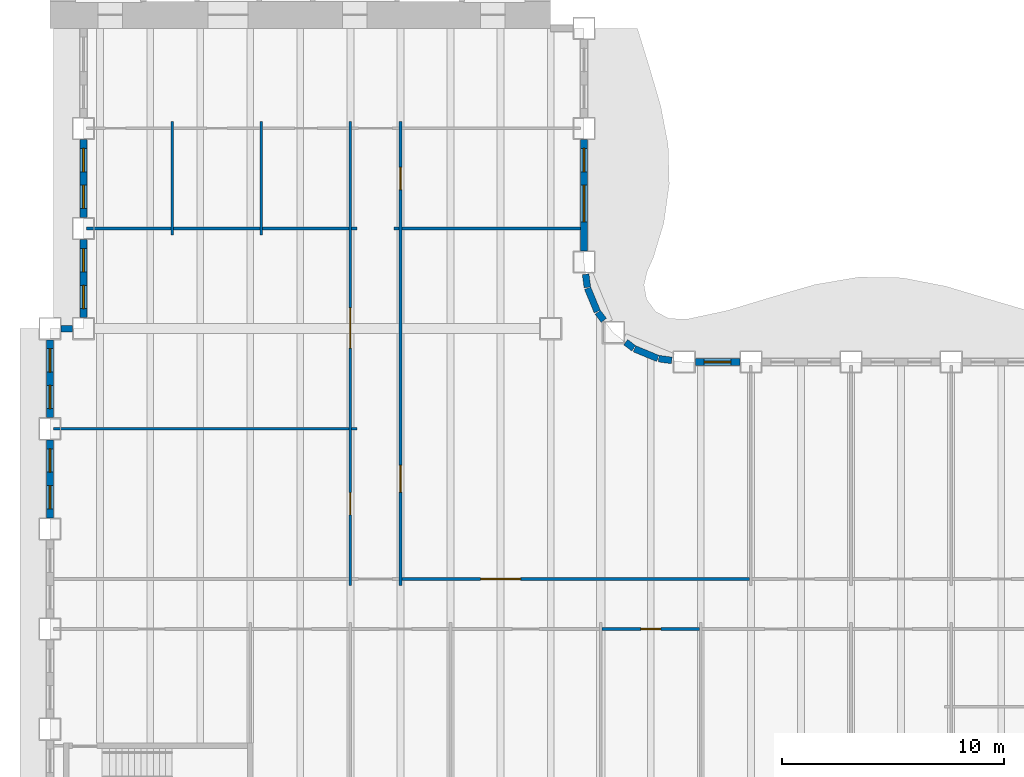
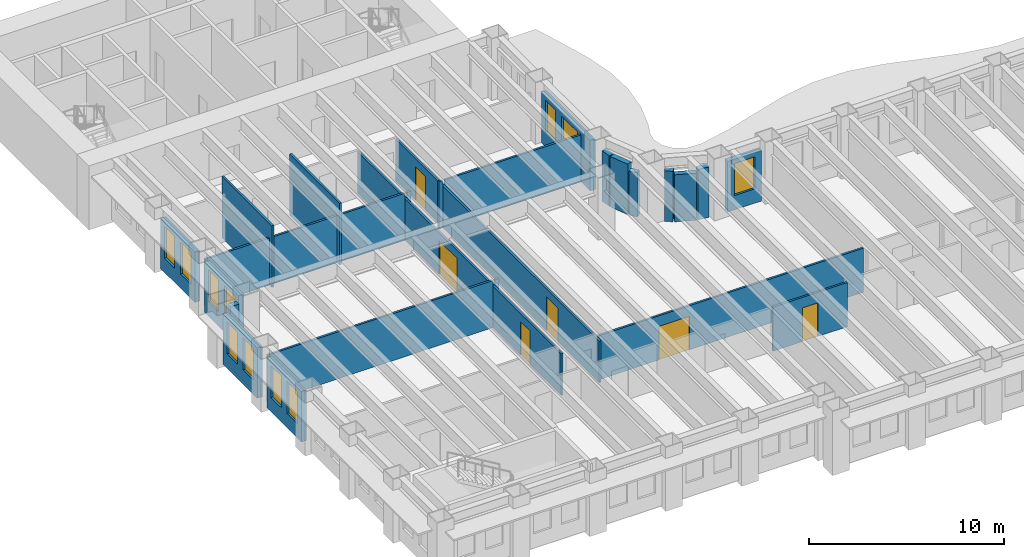
# One storey, part 4 of 16: 27 walls, 11 windows, 6 doors, 17 openings.
"""IFC4 building model written with IfcOpenShell, lengths in metres."""

from ifc_helpers import new_model, si_unit, direction, frame, frame_2d, origin, place, context, subcontext, project, spatial, rectangle, extrude, material, layer, layer_set, type_object, element, fill, save


model = new_model("IFC4")

# Units and contexts
model_context = context("Model", 3, precision=1e-05, world=origin(), true_north=direction((0.0, 1.0)))
body_context = subcontext(model_context, "Body", "Model", "MODEL_VIEW")
ifc_project = project(units=[si_unit("LENGTHUNIT", "METRE"), si_unit("AREAUNIT", "SQUARE_METRE"), si_unit("VOLUMEUNIT", "CUBIC_METRE"), si_unit("PLANEANGLEUNIT", "RADIAN"), si_unit("MASSUNIT", "GRAM", prefix="KILO")], contexts=[model_context])

# Site, building, storey
site_placement = place(None, origin())
site = spatial("IfcSite", under=ifc_project, at=site_placement, CompositionType="ELEMENT")
building_placement = place(site_placement, origin())
building = spatial("IfcBuilding", under=site, at=building_placement, Name="Sennacour Bend Tower", CompositionType="ELEMENT")
storey_placement = place(building_placement, frame((0.0, 0.0, 119.0)))
storey = spatial("IfcBuildingStorey", under=building, at=storey_placement, Name="L27", CompositionType="ELEMENT", Elevation=119.0)

# Walls
ifc_material_1 = material(Name="Plasterboard partition on steel studs", Category="steel")
ifc_layer_1 = layer(ifc_material_1, 0.1201171875, Name="Plasterboard partition on steel studs", Category="steel")
ifc_layer_set_1 = layer_set([ifc_layer_1], Name="Plasterboard partition on steel studs")
wall_type_1 = type_object("IfcWallType", Name="Partition 120", PredefinedType="PARTITIONING", material=ifc_layer_set_1)
for number, where, z_axis, x_axis, name in (
    (1, (5.5, 26.699951171875, 0.0), (0.0, 0.0, 1.0), (0.0, 1.0, 0.0), "P-L27-W007a"),
    (2, (9.5, 26.699951171875, 0.0), (0.0, 0.0, 1.0), (0.0, 1.0, 0.0), "P-L27-W013a"),
):
    element("IfcWall", number, at=place(storey_placement, frame(where, z_axis=z_axis, x_axis=x_axis)), inside=storey, type_object=wall_type_1, Name=name, PredefinedType="PARTITIONING", context=body_context, shape_type="SweptSolid", body=[
        extrude(rectangle(XDim=5.10009765625, YDim=0.1201171875, at=frame_2d((2.550048828125, 0.0))), origin(), (0.0, 0.0, 1.0), 3.85009765625),
    ])

# Wall, openings, doors
wall_1_placement = place(storey_placement, frame((13.5, 10.949951171875, 0.0), z_axis=(0.0, 0.0, 1.0), x_axis=(0.0, 1.0, 0.0)))
wall_1 = element("IfcWall", 3, at=wall_1_placement, inside=storey, type_object=wall_type_1, Name="P-L27-W016a", PredefinedType="PARTITIONING", context=body_context, shape_type="SweptSolid", body=[
    extrude(rectangle(XDim=20.85009765625, YDim=0.1201171875, at=frame_2d((10.425048828125, 0.0))), origin(), (0.0, 0.0, 1.0), 2.60009765625),
])
opening_1_placement = place(wall_1_placement, frame((3.175048828125, 0.0, 0.0)))
opening_1 = element("IfcOpeningElement", 4, at=opening_1_placement, cuts=wall_1, Name="Opening OD2", PredefinedType="OPENING", context=body_context, shape_type="SweptSolid", body=[
    extrude(rectangle(XDim=1.0, YDim=2.10009765625, at=frame_2d((0.5, 1.050048828125))), frame((0.0, 0.070068359375, 0.0), z_axis=(0.0, -1.0, 0.0), x_axis=(1.0, 0.0, 0.0)), (0.0, 0.0, 1.0), 0.14013671875),
])
opening_2_placement = place(wall_1_placement, frame((10.679931640625, 0.0, 0.0)))
opening_2 = element("IfcOpeningElement", 5, at=opening_2_placement, cuts=wall_1, Name="Opening OD3", PredefinedType="OPENING", context=body_context, shape_type="SweptSolid", body=[
    extrude(rectangle(XDim=1.800048828125, YDim=2.10009765625, at=frame_2d((0.89990234375, 1.050048828125))), frame((0.0, 0.070068359375, 0.0), z_axis=(0.0, -1.0, 0.0), x_axis=(1.0, 0.0, 0.0)), (0.0, 0.0, 1.0), 0.14013671875),
])
ifc_material_2 = material(Name="Timber", Category="wood")
door_type_1 = type_object("IfcDoorType", Name="DR-OFFICE-1000", OperationType="NOTDEFINED", PredefinedType="DOOR", material=ifc_material_2)
door_1_placement = place(opening_1_placement, origin())
door_1 = element("IfcDoor", 6, at=door_1_placement, inside=storey, type_object=door_type_1, Name="Door", OperationType="SINGLE_SWING_LEFT", OverallHeight=2.10009765625, OverallWidth=1.0, PredefinedType="DOOR", context=body_context, shape_type="SweptSolid", body=[
    extrude(rectangle(XDim=1.0, YDim=2.10009765625, at=frame_2d((0.5, 1.050048828125))), frame((0.0, 0.02490234375, 0.0), z_axis=(0.0, -1.0, 0.0), x_axis=(1.0, 0.0, 0.0)), (0.0, 0.0, 1.0), 0.050048828125),
])
fill(opening_1, door_1)
door_type_2 = type_object("IfcDoorType", Name="DR-OFFICE-1800", OperationType="NOTDEFINED", PredefinedType="DOOR", material=ifc_material_2)
door_2_placement = place(opening_2_placement, origin())
door_2 = element("IfcDoor", 7, at=door_2_placement, inside=storey, type_object=door_type_2, Name="Door", OperationType="DOUBLE_DOOR_SINGLE_SWING", OverallHeight=2.10009765625, OverallWidth=1.800048828125, PredefinedType="DOOR", context=body_context, shape_type="SweptSolid", body=[
    extrude(rectangle(XDim=1.800048828125, YDim=2.10009765625, at=frame_2d((0.89990234375, 1.050048828125))), frame((0.0, 0.02490234375, 0.0), z_axis=(0.0, -1.0, 0.0), x_axis=(1.0, 0.0, 0.0)), (0.0, 0.0, 1.0), 0.050048828125),
])
fill(opening_2, door_2)

wall_2_placement = place(storey_placement, frame((15.75, 10.949951171875, 0.0), z_axis=(0.0, 0.0, 1.0), x_axis=(0.0, 1.0, 0.0)))
wall_2 = element("IfcWall", 8, at=wall_2_placement, inside=storey, type_object=wall_type_1, Name="P-L27-W020a", PredefinedType="PARTITIONING", context=body_context, shape_type="SweptSolid", body=[
    extrude(rectangle(XDim=20.85009765625, YDim=0.1201171875, at=frame_2d((10.425048828125, 0.0))), origin(), (0.0, 0.0, 1.0), 2.60009765625),
])
opening_3_placement = place(wall_2_placement, frame((17.800048828125, 0.0, 0.0)))
opening_3 = element("IfcOpeningElement", 9, at=opening_3_placement, cuts=wall_2, Name="Opening MD2", PredefinedType="OPENING", context=body_context, shape_type="SweptSolid", body=[
    extrude(rectangle(XDim=1.0, YDim=2.10009765625, at=frame_2d((0.5, 1.050048828125))), frame((0.0, 0.070068359375, 0.0), z_axis=(0.0, -1.0, 0.0), x_axis=(1.0, 0.0, 0.0)), (0.0, 0.0, 1.0), 0.14013671875),
])
opening_4_placement = place(wall_2_placement, frame((4.199951171875, 0.0, 0.0)))
opening_4 = element("IfcOpeningElement", 10, at=opening_4_placement, cuts=wall_2, Name="Opening OD", PredefinedType="OPENING", context=body_context, shape_type="SweptSolid", body=[
    extrude(rectangle(XDim=1.199951171875, YDim=2.10009765625, at=frame_2d((0.60009765625, 1.050048828125))), frame((0.0, 0.070068359375, 0.0), z_axis=(0.0, -1.0, 0.0), x_axis=(1.0, 0.0, 0.0)), (0.0, 0.0, 1.0), 0.14013671875),
])
door_type_3 = type_object("IfcDoorType", Name="DR-MEETING-1000", OperationType="NOTDEFINED", PredefinedType="DOOR", material=ifc_material_2)
door_3_placement = place(opening_3_placement, origin())
door_3 = element("IfcDoor", 11, at=door_3_placement, inside=storey, type_object=door_type_3, Name="Door", OperationType="SINGLE_SWING_RIGHT", OverallHeight=2.10009765625, OverallWidth=1.0, PredefinedType="DOOR", context=body_context, shape_type="SweptSolid", body=[
    extrude(rectangle(XDim=1.0, YDim=2.10009765625, at=frame_2d((0.5, 1.050048828125))), frame((0.0, 0.02490234375, 0.0), z_axis=(0.0, -1.0, 0.0), x_axis=(1.0, 0.0, 0.0)), (0.0, 0.0, 1.0), 0.050048828125),
])
fill(opening_3, door_3)
door_type_4 = type_object("IfcDoorType", Name="DR-OFFICE-1200", OperationType="NOTDEFINED", PredefinedType="DOOR", material=ifc_material_2)
door_4_placement = place(opening_4_placement, origin())
door_4 = element("IfcDoor", 12, at=door_4_placement, inside=storey, type_object=door_type_4, Name="Door", OperationType="SINGLE_SWING_LEFT", OverallHeight=2.10009765625, OverallWidth=1.199951171875, PredefinedType="DOOR", context=body_context, shape_type="SweptSolid", body=[
    extrude(rectangle(XDim=1.199951171875, YDim=2.10009765625, at=frame_2d((0.60009765625, 1.050048828125))), frame((0.0, 0.02490234375, 0.0), z_axis=(0.0, -1.0, 0.0), x_axis=(1.0, 0.0, 0.0)), (0.0, 0.0, 1.0), 0.050048828125),
])
fill(opening_4, door_4)

# Wall, opening, door
wall_3_placement = place(storey_placement, frame((15.81005859375, 11.25, 0.0), z_axis=(0.0, 0.0, 1.0), x_axis=(1.0, 0.0, 0.0)))
wall_3 = element("IfcWall", 13, at=wall_3_placement, inside=storey, type_object=wall_type_1, Name="P-L27-W061ac", PredefinedType="PARTITIONING", context=body_context, shape_type="SweptSolid", body=[
    extrude(rectangle(XDim=15.6298828125, YDim=0.1201171875, at=frame_2d((7.81494140625, 0.0))), origin(), (0.0, 0.0, 1.0), 2.760009765625),
])
opening_5_placement = place(wall_3_placement, frame((3.539794921875, 0.0, 0.0)))
opening_5 = element("IfcOpeningElement", 14, at=opening_5_placement, cuts=wall_3, Name="Opening OD3", PredefinedType="OPENING", context=body_context, shape_type="SweptSolid", body=[
    extrude(rectangle(XDim=1.800048828125, YDim=2.10009765625, at=frame_2d((0.89990234375, 1.050048828125))), frame((0.0, 0.070068359375, 0.0), z_axis=(0.0, -1.0, 0.0), x_axis=(1.0, 0.0, 0.0)), (0.0, 0.0, 1.0), 0.14013671875),
])
door_5_placement = place(opening_5_placement, origin())
door_5 = element("IfcDoor", 15, at=door_5_placement, inside=storey, type_object=door_type_2, Name="Door", OperationType="DOUBLE_DOOR_SINGLE_SWING", OverallHeight=2.10009765625, OverallWidth=1.800048828125, PredefinedType="DOOR", context=body_context, shape_type="SweptSolid", body=[
    extrude(rectangle(XDim=1.800048828125, YDim=2.10009765625, at=frame_2d((0.89990234375, 1.050048828125))), frame((0.0, 0.02490234375, 0.0), z_axis=(0.0, -1.0, 0.0), x_axis=(1.0, 0.0, 0.0)), (0.0, 0.0, 1.0), 0.050048828125),
])
fill(opening_5, door_5)

# Walls
wall_4_placement = place(storey_placement, frame((0.14990234375, 18.0, 0.0), z_axis=(0.0, 0.0, 1.0), x_axis=(1.0, 0.0, 0.0)))
element("IfcWall", 16, at=wall_4_placement, inside=storey, type_object=wall_type_1, Name="P-L27-W066aa", PredefinedType="PARTITIONING", context=body_context, shape_type="SweptSolid", body=[
    extrude(rectangle(XDim=13.2900390625, YDim=0.1201171875, at=frame_2d((6.64501953125, 0.0))), origin(), (0.0, 0.0, 1.0), 2.93798828125),
])
wall_5_placement = place(storey_placement, frame((13.56005859375, 18.0, 0.0), z_axis=(0.0, 0.0, 1.0), x_axis=(1.0, 0.0, 0.0)))
element("IfcWall", 17, at=wall_5_placement, inside=storey, type_object=wall_type_1, Name="P-L27-W066ab", PredefinedType="PARTITIONING", context=body_context, shape_type="SweptSolid", body=[
    extrude(rectangle(XDim=0.239990234375, YDim=0.1201171875, at=frame_2d((0.1201171875, 0.0))), origin(), (0.0, 0.0, 1.0), 2.93798828125),
])
wall_6_placement = place(storey_placement, frame((1.64990234375, 27.0, 0.0), z_axis=(0.0, 0.0, 1.0), x_axis=(1.0, 0.0, 0.0)))
element("IfcWall", 18, at=wall_6_placement, inside=storey, type_object=wall_type_1, Name="P-L27-W073aa", PredefinedType="PARTITIONING", context=body_context, shape_type="SweptSolid", body=[
    extrude(rectangle(XDim=3.7900390625, YDim=0.1201171875, at=frame_2d((1.89501953125, 0.0))), origin(), (0.0, 0.0, 1.0), 2.93798828125),
])
for number, where, z_axis, x_axis, name in (
    (19, (5.56005859375, 27.0, 0.0), (0.0, 0.0, 1.0), (1.0, 0.0, 0.0), "P-L27-W073ab"),
    (20, (9.56005859375, 27.0, 0.0), (0.0, 0.0, 1.0), (1.0, 0.0, 0.0), "P-L27-W073ac"),
):
    element("IfcWall", number, at=place(storey_placement, frame(where, z_axis=z_axis, x_axis=x_axis)), inside=storey, type_object=wall_type_1, Name=name, PredefinedType="PARTITIONING", context=body_context, shape_type="SweptSolid", body=[
        extrude(rectangle(XDim=3.8798828125, YDim=0.1201171875, at=frame_2d((1.93994140625, 0.0))), origin(), (0.0, 0.0, 1.0), 2.93798828125),
    ])
for number, where, z_axis, x_axis, name in (
    (21, (13.56005859375, 27.0, 0.0), (0.0, 0.0, 1.0), (1.0, 0.0, 0.0), "P-L27-W073ad"),
    (22, (15.449951171875, 27.0, 0.0), (0.0, 0.0, 1.0), (1.0, 0.0, 0.0), "P-L27-W074aa"),
):
    element("IfcWall", number, at=place(storey_placement, frame(where, z_axis=z_axis, x_axis=x_axis)), inside=storey, type_object=wall_type_1, Name=name, PredefinedType="PARTITIONING", context=body_context, shape_type="SweptSolid", body=[
        extrude(rectangle(XDim=0.239990234375, YDim=0.1201171875, at=frame_2d((0.1201171875, 0.0))), origin(), (0.0, 0.0, 1.0), 2.93798828125),
    ])
wall_7_placement = place(storey_placement, frame((15.81005859375, 27.0, 0.0), z_axis=(0.0, 0.0, 1.0), x_axis=(1.0, 0.0, 0.0)))
element("IfcWall", 23, at=wall_7_placement, inside=storey, type_object=wall_type_1, Name="P-L27-W074ab", PredefinedType="PARTITIONING", context=body_context, shape_type="SweptSolid", body=[
    extrude(rectangle(XDim=8.0400390625, YDim=0.1201171875, at=frame_2d((4.02001953125, 0.0))), origin(), (0.0, 0.0, 1.0), 2.93798828125),
])

# Wall, opening, door
ifc_layer_2 = layer(ifc_material_1, 0.1201171875, Name="Plasterboard partition on steel studs", Category="steel")
ifc_layer_set_2 = layer_set([ifc_layer_2], Name="Plasterboard partition on steel studs")
wall_type_2 = type_object("IfcWallType", Name="Partition 120 EI 60", PredefinedType="PARTITIONING", material=ifc_layer_set_2)
wall_8_placement = place(storey_placement, frame((24.81005859375, 9.0, 0.0), z_axis=(0.0, 0.0, 1.0), x_axis=(1.0, 0.0, 0.0)))
wall_8 = element("IfcWall", 24, at=wall_8_placement, inside=storey, type_object=wall_type_2, Name="P-L27-W059ae", PredefinedType="PARTITIONING", context=body_context, shape_type="SweptSolid", body=[
    extrude(rectangle(XDim=4.3798828125, YDim=0.1201171875, at=frame_2d((2.18994140625, 0.0))), origin(), (0.0, 0.0, 1.0), 2.760009765625),
])
opening_6_placement = place(wall_8_placement, frame((1.739990234375, 0.0, 0.0)))
opening_6 = element("IfcOpeningElement", 25, at=opening_6_placement, cuts=wall_8, Name="Opening SV", PredefinedType="OPENING", context=body_context, shape_type="SweptSolid", body=[
    extrude(rectangle(XDim=0.89990234375, YDim=2.10009765625, at=frame_2d((0.449951171875, 1.050048828125))), frame((0.0, 0.070068359375, 0.0), z_axis=(0.0, -1.0, 0.0), x_axis=(1.0, 0.0, 0.0)), (0.0, 0.0, 1.0), 0.14013671875),
])
ifc_material_3 = material(Name="Painted steel", Category="steel")
door_type_5 = type_object("IfcDoorType", Name="DR-SERVICE-900", OperationType="NOTDEFINED", PredefinedType="DOOR", material=ifc_material_3)
door_6_placement = place(opening_6_placement, origin())
door_6 = element("IfcDoor", 26, at=door_6_placement, inside=storey, type_object=door_type_5, Name="Door", OperationType="SINGLE_SWING_LEFT", OverallHeight=2.10009765625, OverallWidth=0.89990234375, PredefinedType="DOOR", context=body_context, shape_type="SweptSolid", body=[
    extrude(rectangle(XDim=0.89990234375, YDim=2.10009765625, at=frame_2d((0.449951171875, 1.050048828125))), frame((0.0, 0.02490234375, 0.0), z_axis=(0.0, -1.0, 0.0), x_axis=(1.0, 0.0, 0.0)), (0.0, 0.0, 1.0), 0.050048828125),
])
fill(opening_6, door_6)

# Wall, opening, window
ifc_material_4 = material(Name="Warm limestone cladding", Category="masonry")
ifc_layer_3 = layer(ifc_material_4, 0.050048828125, Name="Warm limestone cladding", Category="masonry")
ifc_material_5 = material(Name="Precast concrete C40/50", Category="concrete")
ifc_layer_4 = layer(ifc_material_5, 0.25, Name="Precast concrete C40/50", Category="concrete")
ifc_layer_set_3 = layer_set([ifc_layer_3, ifc_layer_4], Name="Precast concrete C40/50 with limestone cladding")
wall_type_3 = type_object("IfcWallType", Name="STONE-CLAD PRECAST SPANDREL 300", PredefinedType="STANDARD", material=ifc_layer_set_3)
wall_9_placement = place(storey_placement, frame((31.0, 21.0, 0.0), z_axis=(0.0, 0.0, 1.0), x_axis=(-1.0, 0.0, 0.0)))
wall_9 = element("IfcWall", 27, at=wall_9_placement, inside=storey, type_object=wall_type_3, Name="Stone spandrel and pier wall L27 06.05", PredefinedType="STANDARD", context=body_context, shape_type="SweptSolid", body=[
    extrude(rectangle(XDim=2.0, YDim=0.300048828125, at=frame_2d((1.0, 0.0))), origin(), (0.0, 0.0, 1.0), 3.154052734375),
])
opening_7_placement = place(wall_9_placement, frame((0.39990234375, 0.0, 0.89990234375)))
opening_7 = element("IfcOpeningElement", 28, at=opening_7_placement, cuts=wall_9, Name="Opening W14", PredefinedType="OPENING", context=body_context, shape_type="SweptSolid", body=[
    extrude(rectangle(XDim=1.199951171875, YDim=2.0, at=frame_2d((0.60009765625, 1.0))), frame((0.0, 0.16015625, 0.0), z_axis=(0.0, -1.0, 0.0), x_axis=(1.0, 0.0, 0.0)), (0.0, 0.0, 1.0), 0.320068359375),
])
ifc_material_6 = material(Name="Clear low-emissivity glass", Category="glass")
window_type_1 = type_object("IfcWindowType", Name="WIN-RIBBON-1200x2000", PartitioningType="SINGLE_PANEL", PredefinedType="WINDOW", material=ifc_material_6)
window_1_placement = place(opening_7_placement, origin())
window_1 = element("IfcWindow", 29, at=window_1_placement, inside=storey, type_object=window_type_1, Name="Ribbon window L27 06.05", OverallHeight=2.0, OverallWidth=1.199951171875, PartitioningType="SINGLE_PANEL", PredefinedType="WINDOW", context=body_context, shape_type="SweptSolid", body=[
    extrude(rectangle(XDim=1.199951171875, YDim=2.0, at=frame_2d((0.60009765625, 1.0))), frame((0.0, 0.030029296875, 0.0), z_axis=(0.0, -1.0, 0.0), x_axis=(1.0, 0.0, 0.0)), (0.0, 0.0, 1.0), 0.06005859375),
])
fill(opening_7, window_1)

# Walls
wall_10_placement = place(storey_placement, frame((27.94384765625, 21.0732421875, 0.0), z_axis=(0.0, 0.0, 1.0), x_axis=(-0.991420685839, 0.130709692412, 0.0)))
element("IfcWall", 30, at=wall_10_placement, inside=storey, type_object=wall_type_3, Name="Stone spandrel and pier wall L27 07.00", PredefinedType="STANDARD", context=body_context, shape_type="SweptSolid", body=[
    extrude(rectangle(XDim=0.593994140625, YDim=0.300048828125, at=frame_2d((0.296875, 0.0))), origin(), (0.0, 0.0, 1.0), 3.154052734375),
])
wall_11_placement = place(storey_placement, frame((27.317138671875, 21.160888671875, 0.0), z_axis=(0.0, 0.0, 1.0), x_axis=(-0.923914616768, 0.382598720491, 0.0)))
element("IfcWall", 31, at=wall_11_placement, inside=storey, type_object=wall_type_3, Name="Stone spandrel and pier wall L27 08.00", PredefinedType="STANDARD", context=body_context, shape_type="SweptSolid", body=[
    extrude(rectangle(XDim=1.13525390625, YDim=0.300048828125, at=frame_2d((0.567626953125, 0.0))), origin(), (0.0, 0.0, 1.0), 2.93798828125),
])
wall_12_placement = place(storey_placement, frame((26.234375, 21.614990234375, 0.0), z_axis=(0.0, 0.0, 1.0), x_axis=(-0.793563062559, 0.608488016104, 0.0)))
element("IfcWall", 32, at=wall_12_placement, inside=storey, type_object=wall_type_3, Name="Stone spandrel and pier wall L27 09.00", PredefinedType="STANDARD", context=body_context, shape_type="SweptSolid", body=[
    extrude(rectangle(XDim=0.453857421875, YDim=0.300048828125, at=frame_2d((0.22705078125, 0.0))), origin(), (0.0, 0.0, 1.0), 3.154052734375),
])
wall_13_placement = place(storey_placement, frame((24.89111328125, 22.874267578125, 0.0), z_axis=(0.0, 0.0, 1.0), x_axis=(-0.608488016104, 0.793563062559, 0.0)))
element("IfcWall", 33, at=wall_13_placement, inside=storey, type_object=wall_type_3, Name="Stone spandrel and pier wall L27 10.00", PredefinedType="STANDARD", context=body_context, shape_type="SweptSolid", body=[
    extrude(rectangle(XDim=0.453857421875, YDim=0.300048828125, at=frame_2d((0.22705078125, 0.0))), origin(), (0.0, 0.0, 1.0), 2.760009765625),
])
wall_14_placement = place(storey_placement, frame((24.59521484375, 23.268310546875, 0.0), z_axis=(0.0, 0.0, 1.0), x_axis=(-0.382598720491, 0.923914616768, 0.0)))
element("IfcWall", 34, at=wall_14_placement, inside=storey, type_object=wall_type_3, Name="Stone spandrel and pier wall L27 11.00", PredefinedType="STANDARD", context=body_context, shape_type="SweptSolid", body=[
    extrude(rectangle(XDim=1.13525390625, YDim=0.300048828125, at=frame_2d((0.567626953125, 0.0))), origin(), (0.0, 0.0, 1.0), 3.154052734375),
])
wall_15_placement = place(storey_placement, frame((24.15087890625, 24.35498046875, 0.0), z_axis=(0.0, 0.0, 1.0), x_axis=(-0.130709692412, 0.991420685839, 0.0)))
element("IfcWall", 35, at=wall_15_placement, inside=storey, type_object=wall_type_3, Name="Stone spandrel and pier wall L27 12.00", PredefinedType="STANDARD", context=body_context, shape_type="SweptSolid", body=[
    extrude(rectangle(XDim=0.593994140625, YDim=0.300048828125, at=frame_2d((0.296875, 0.0))), origin(), (0.0, 0.0, 1.0), 3.154052734375),
])

# Wall, openings, windows
wall_16_placement = place(storey_placement, frame((24.0, 26.0, 0.0), z_axis=(0.0, 0.0, 1.0), x_axis=(0.0, 1.0, 0.0)))
wall_16 = element("IfcWall", 36, at=wall_16_placement, inside=storey, type_object=wall_type_3, Name="Stone spandrel and pier wall L27 13.00", PredefinedType="STANDARD", context=body_context, shape_type="SweptSolid", body=[
    extrude(rectangle(XDim=5.0, YDim=0.300048828125, at=frame_2d((2.5, 0.0))), origin(), (0.0, 0.0, 1.0), 3.154052734375),
])
opening_8_placement = place(wall_16_placement, frame((1.300048828125, 0.0, 0.89990234375)))
opening_8 = element("IfcOpeningElement", 37, at=opening_8_placement, cuts=wall_16, Name="Opening W10", PredefinedType="OPENING", context=body_context, shape_type="SweptSolid", body=[
    extrude(rectangle(XDim=1.64990234375, YDim=2.0, at=frame_2d((0.824951171875, 1.0))), frame((0.0, 0.16015625, 0.0), z_axis=(0.0, -1.0, 0.0), x_axis=(1.0, 0.0, 0.0)), (0.0, 0.0, 1.0), 0.320068359375),
])
opening_9_placement = place(wall_16_placement, frame((3.550048828125, 0.0, 0.89990234375)))
opening_9 = element("IfcOpeningElement", 38, at=opening_9_placement, cuts=wall_16, Name="Opening W13", PredefinedType="OPENING", context=body_context, shape_type="SweptSolid", body=[
    extrude(rectangle(XDim=1.050048828125, YDim=2.0, at=frame_2d((0.52490234375, 1.0))), frame((0.0, 0.16015625, 0.0), z_axis=(0.0, -1.0, 0.0), x_axis=(1.0, 0.0, 0.0)), (0.0, 0.0, 1.0), 0.320068359375),
])
window_type_2 = type_object("IfcWindowType", Name="WIN-RIBBON-1050x2000", PartitioningType="SINGLE_PANEL", PredefinedType="WINDOW", material=ifc_material_6)
window_2_placement = place(opening_9_placement, origin())
window_2 = element("IfcWindow", 39, at=window_2_placement, inside=storey, type_object=window_type_2, Name="Ribbon window L27 13.00.1", OverallHeight=2.0, OverallWidth=1.050048828125, PartitioningType="SINGLE_PANEL", PredefinedType="WINDOW", context=body_context, shape_type="SweptSolid", body=[
    extrude(rectangle(XDim=1.050048828125, YDim=2.0, at=frame_2d((0.52490234375, 1.0))), frame((0.0, 0.030029296875, 0.0), z_axis=(0.0, -1.0, 0.0), x_axis=(1.0, 0.0, 0.0)), (0.0, 0.0, 1.0), 0.06005859375),
])
fill(opening_9, window_2)
window_type_3 = type_object("IfcWindowType", Name="WIN-RIBBON-1650x2000", PartitioningType="SINGLE_PANEL", PredefinedType="WINDOW", material=ifc_material_6)
window_3_placement = place(opening_8_placement, origin())
window_3 = element("IfcWindow", 40, at=window_3_placement, inside=storey, type_object=window_type_3, Name="Ribbon window L27 13.00.0", OverallHeight=2.0, OverallWidth=1.64990234375, PartitioningType="SINGLE_PANEL", PredefinedType="WINDOW", context=body_context, shape_type="SweptSolid", body=[
    extrude(rectangle(XDim=1.64990234375, YDim=2.0, at=frame_2d((0.824951171875, 1.0))), frame((0.0, 0.030029296875, 0.0), z_axis=(0.0, -1.0, 0.0), x_axis=(1.0, 0.0, 0.0)), (0.0, 0.0, 1.0), 0.06005859375),
])
fill(opening_8, window_3)

wall_17_placement = place(storey_placement, frame((1.5, 31.0, 0.0), z_axis=(0.0, 0.0, 1.0), x_axis=(0.0, -1.0, 0.0)))
wall_17 = element("IfcWall", 41, at=wall_17_placement, inside=storey, type_object=wall_type_3, Name="Stone spandrel and pier wall L27 19.01", PredefinedType="STANDARD", context=body_context, shape_type="SweptSolid", body=[
    extrude(rectangle(XDim=3.5, YDim=0.300048828125, at=frame_2d((1.75, 0.0))), origin(), (0.0, 0.0, 1.0), 3.154052734375),
])
opening_10_placement = place(wall_17_placement, frame((0.39990234375, 0.0, 0.89990234375)))
opening_10 = element("IfcOpeningElement", 42, at=opening_10_placement, cuts=wall_17, Name="Opening W13", PredefinedType="OPENING", context=body_context, shape_type="SweptSolid", body=[
    extrude(rectangle(XDim=1.050048828125, YDim=2.0, at=frame_2d((0.52490234375, 1.0))), frame((0.0, 0.16015625, 0.0), z_axis=(0.0, -1.0, 0.0), x_axis=(1.0, 0.0, 0.0)), (0.0, 0.0, 1.0), 0.320068359375),
])
opening_11_placement = place(wall_17_placement, frame((2.050048828125, 0.0, 0.89990234375)))
opening_11 = element("IfcOpeningElement", 43, at=opening_11_placement, cuts=wall_17, Name="Opening W13", PredefinedType="OPENING", context=body_context, shape_type="SweptSolid", body=[
    extrude(rectangle(XDim=1.050048828125, YDim=2.0, at=frame_2d((0.52490234375, 1.0))), frame((0.0, 0.16015625, 0.0), z_axis=(0.0, -1.0, 0.0), x_axis=(1.0, 0.0, 0.0)), (0.0, 0.0, 1.0), 0.320068359375),
])
window_4_placement = place(opening_10_placement, origin())
window_4 = element("IfcWindow", 44, at=window_4_placement, inside=storey, type_object=window_type_2, Name="Ribbon window L27 19.01.0", OverallHeight=2.0, OverallWidth=1.050048828125, PartitioningType="SINGLE_PANEL", PredefinedType="WINDOW", context=body_context, shape_type="SweptSolid", body=[
    extrude(rectangle(XDim=1.050048828125, YDim=2.0, at=frame_2d((0.52490234375, 1.0))), frame((0.0, 0.030029296875, 0.0), z_axis=(0.0, -1.0, 0.0), x_axis=(1.0, 0.0, 0.0)), (0.0, 0.0, 1.0), 0.06005859375),
])
fill(opening_10, window_4)
window_5_placement = place(opening_11_placement, origin())
window_5 = element("IfcWindow", 45, at=window_5_placement, inside=storey, type_object=window_type_2, Name="Ribbon window L27 19.01.1", OverallHeight=2.0, OverallWidth=1.050048828125, PartitioningType="SINGLE_PANEL", PredefinedType="WINDOW", context=body_context, shape_type="SweptSolid", body=[
    extrude(rectangle(XDim=1.050048828125, YDim=2.0, at=frame_2d((0.52490234375, 1.0))), frame((0.0, 0.030029296875, 0.0), z_axis=(0.0, -1.0, 0.0), x_axis=(1.0, 0.0, 0.0)), (0.0, 0.0, 1.0), 0.06005859375),
])
fill(opening_11, window_5)

wall_18_placement = place(storey_placement, frame((1.5, 26.5, 0.0), z_axis=(0.0, 0.0, 1.0), x_axis=(0.0, -1.0, 0.0)))
wall_18 = element("IfcWall", 46, at=wall_18_placement, inside=storey, type_object=wall_type_3, Name="Stone spandrel and pier wall L27 19.02", PredefinedType="STANDARD", context=body_context, shape_type="SweptSolid", body=[
    extrude(rectangle(XDim=3.5, YDim=0.300048828125, at=frame_2d((1.75, 0.0))), origin(), (0.0, 0.0, 1.0), 3.154052734375),
])
opening_12_placement = place(wall_18_placement, frame((0.39990234375, 0.0, 0.89990234375)))
opening_12 = element("IfcOpeningElement", 47, at=opening_12_placement, cuts=wall_18, Name="Opening W13", PredefinedType="OPENING", context=body_context, shape_type="SweptSolid", body=[
    extrude(rectangle(XDim=1.050048828125, YDim=2.0, at=frame_2d((0.52490234375, 1.0))), frame((0.0, 0.16015625, 0.0), z_axis=(0.0, -1.0, 0.0), x_axis=(1.0, 0.0, 0.0)), (0.0, 0.0, 1.0), 0.320068359375),
])
opening_13_placement = place(wall_18_placement, frame((2.050048828125, 0.0, 0.89990234375)))
opening_13 = element("IfcOpeningElement", 48, at=opening_13_placement, cuts=wall_18, Name="Opening W13", PredefinedType="OPENING", context=body_context, shape_type="SweptSolid", body=[
    extrude(rectangle(XDim=1.050048828125, YDim=2.0, at=frame_2d((0.52490234375, 1.0))), frame((0.0, 0.16015625, 0.0), z_axis=(0.0, -1.0, 0.0), x_axis=(1.0, 0.0, 0.0)), (0.0, 0.0, 1.0), 0.320068359375),
])
window_6_placement = place(opening_12_placement, origin())
window_6 = element("IfcWindow", 49, at=window_6_placement, inside=storey, type_object=window_type_2, Name="Ribbon window L27 19.02.0", OverallHeight=2.0, OverallWidth=1.050048828125, PartitioningType="SINGLE_PANEL", PredefinedType="WINDOW", context=body_context, shape_type="SweptSolid", body=[
    extrude(rectangle(XDim=1.050048828125, YDim=2.0, at=frame_2d((0.52490234375, 1.0))), frame((0.0, 0.030029296875, 0.0), z_axis=(0.0, -1.0, 0.0), x_axis=(1.0, 0.0, 0.0)), (0.0, 0.0, 1.0), 0.06005859375),
])
fill(opening_12, window_6)
window_7_placement = place(opening_13_placement, origin())
window_7 = element("IfcWindow", 50, at=window_7_placement, inside=storey, type_object=window_type_2, Name="Ribbon window L27 19.02.1", OverallHeight=2.0, OverallWidth=1.050048828125, PartitioningType="SINGLE_PANEL", PredefinedType="WINDOW", context=body_context, shape_type="SweptSolid", body=[
    extrude(rectangle(XDim=1.050048828125, YDim=2.0, at=frame_2d((0.52490234375, 1.0))), frame((0.0, 0.030029296875, 0.0), z_axis=(0.0, -1.0, 0.0), x_axis=(1.0, 0.0, 0.0)), (0.0, 0.0, 1.0), 0.06005859375),
])
fill(opening_13, window_7)

# Wall
wall_19_placement = place(storey_placement, frame((1.0, 22.5, 0.0), z_axis=(0.0, 0.0, 1.0), x_axis=(-1.0, 0.0, 0.0)))
element("IfcWall", 51, at=wall_19_placement, inside=storey, type_object=wall_type_3, Name="Stone spandrel and pier wall L27 20.00", PredefinedType="STANDARD", context=body_context, shape_type="SweptSolid", body=[
    extrude(rectangle(XDim=0.5, YDim=0.300048828125, at=frame_2d((0.25, 0.0))), origin(), (0.0, 0.0, 1.0), 3.154052734375),
])

# Wall, openings, windows
wall_20_placement = place(storey_placement, frame((0.0, 22.0, 0.0), z_axis=(0.0, 0.0, 1.0), x_axis=(0.0, -1.0, 0.0)))
wall_20 = element("IfcWall", 52, at=wall_20_placement, inside=storey, type_object=wall_type_3, Name="Stone spandrel and pier wall L27 21.00", PredefinedType="STANDARD", context=body_context, shape_type="SweptSolid", body=[
    extrude(rectangle(XDim=3.5, YDim=0.300048828125, at=frame_2d((1.75, 0.0))), origin(), (0.0, 0.0, 1.0), 3.154052734375),
])
opening_14_placement = place(wall_20_placement, frame((0.39990234375, 0.0, 0.89990234375)))
opening_14 = element("IfcOpeningElement", 53, at=opening_14_placement, cuts=wall_20, Name="Opening W13", PredefinedType="OPENING", context=body_context, shape_type="SweptSolid", body=[
    extrude(rectangle(XDim=1.050048828125, YDim=2.0, at=frame_2d((0.52490234375, 1.0))), frame((0.0, 0.16015625, 0.0), z_axis=(0.0, -1.0, 0.0), x_axis=(1.0, 0.0, 0.0)), (0.0, 0.0, 1.0), 0.320068359375),
])
opening_15_placement = place(wall_20_placement, frame((2.050048828125, 0.0, 0.89990234375)))
opening_15 = element("IfcOpeningElement", 54, at=opening_15_placement, cuts=wall_20, Name="Opening W13", PredefinedType="OPENING", context=body_context, shape_type="SweptSolid", body=[
    extrude(rectangle(XDim=1.050048828125, YDim=2.0, at=frame_2d((0.52490234375, 1.0))), frame((0.0, 0.16015625, 0.0), z_axis=(0.0, -1.0, 0.0), x_axis=(1.0, 0.0, 0.0)), (0.0, 0.0, 1.0), 0.320068359375),
])
window_8_placement = place(opening_14_placement, origin())
window_8 = element("IfcWindow", 55, at=window_8_placement, inside=storey, type_object=window_type_2, Name="Ribbon window L27 21.00.0", OverallHeight=2.0, OverallWidth=1.050048828125, PartitioningType="SINGLE_PANEL", PredefinedType="WINDOW", context=body_context, shape_type="SweptSolid", body=[
    extrude(rectangle(XDim=1.050048828125, YDim=2.0, at=frame_2d((0.52490234375, 1.0))), frame((0.0, 0.030029296875, 0.0), z_axis=(0.0, -1.0, 0.0), x_axis=(1.0, 0.0, 0.0)), (0.0, 0.0, 1.0), 0.06005859375),
])
fill(opening_14, window_8)
window_9_placement = place(opening_15_placement, origin())
window_9 = element("IfcWindow", 56, at=window_9_placement, inside=storey, type_object=window_type_2, Name="Ribbon window L27 21.00.1", OverallHeight=2.0, OverallWidth=1.050048828125, PartitioningType="SINGLE_PANEL", PredefinedType="WINDOW", context=body_context, shape_type="SweptSolid", body=[
    extrude(rectangle(XDim=1.050048828125, YDim=2.0, at=frame_2d((0.52490234375, 1.0))), frame((0.0, 0.030029296875, 0.0), z_axis=(0.0, -1.0, 0.0), x_axis=(1.0, 0.0, 0.0)), (0.0, 0.0, 1.0), 0.06005859375),
])
fill(opening_15, window_9)

wall_21_placement = place(storey_placement, frame((0.0, 17.5, 0.0), z_axis=(0.0, 0.0, 1.0), x_axis=(0.0, -1.0, 0.0)))
wall_21 = element("IfcWall", 57, at=wall_21_placement, inside=storey, type_object=wall_type_3, Name="Stone spandrel and pier wall L27 21.01", PredefinedType="STANDARD", context=body_context, shape_type="SweptSolid", body=[
    extrude(rectangle(XDim=3.5, YDim=0.300048828125, at=frame_2d((1.75, 0.0))), origin(), (0.0, 0.0, 1.0), 3.154052734375),
])
opening_16_placement = place(wall_21_placement, frame((0.39990234375, 0.0, 0.89990234375)))
opening_16 = element("IfcOpeningElement", 58, at=opening_16_placement, cuts=wall_21, Name="Opening W13", PredefinedType="OPENING", context=body_context, shape_type="SweptSolid", body=[
    extrude(rectangle(XDim=1.050048828125, YDim=2.0, at=frame_2d((0.52490234375, 1.0))), frame((0.0, 0.16015625, 0.0), z_axis=(0.0, -1.0, 0.0), x_axis=(1.0, 0.0, 0.0)), (0.0, 0.0, 1.0), 0.320068359375),
])
opening_17_placement = place(wall_21_placement, frame((2.050048828125, 0.0, 0.89990234375)))
opening_17 = element("IfcOpeningElement", 59, at=opening_17_placement, cuts=wall_21, Name="Opening W13", PredefinedType="OPENING", context=body_context, shape_type="SweptSolid", body=[
    extrude(rectangle(XDim=1.050048828125, YDim=2.0, at=frame_2d((0.52490234375, 1.0))), frame((0.0, 0.16015625, 0.0), z_axis=(0.0, -1.0, 0.0), x_axis=(1.0, 0.0, 0.0)), (0.0, 0.0, 1.0), 0.320068359375),
])
window_10_placement = place(opening_16_placement, origin())
window_10 = element("IfcWindow", 60, at=window_10_placement, inside=storey, type_object=window_type_2, Name="Ribbon window L27 21.01.0", OverallHeight=2.0, OverallWidth=1.050048828125, PartitioningType="SINGLE_PANEL", PredefinedType="WINDOW", context=body_context, shape_type="SweptSolid", body=[
    extrude(rectangle(XDim=1.050048828125, YDim=2.0, at=frame_2d((0.52490234375, 1.0))), frame((0.0, 0.030029296875, 0.0), z_axis=(0.0, -1.0, 0.0), x_axis=(1.0, 0.0, 0.0)), (0.0, 0.0, 1.0), 0.06005859375),
])
fill(opening_16, window_10)
window_11_placement = place(opening_17_placement, origin())
window_11 = element("IfcWindow", 61, at=window_11_placement, inside=storey, type_object=window_type_2, Name="Ribbon window L27 21.01.1", OverallHeight=2.0, OverallWidth=1.050048828125, PartitioningType="SINGLE_PANEL", PredefinedType="WINDOW", context=body_context, shape_type="SweptSolid", body=[
    extrude(rectangle(XDim=1.050048828125, YDim=2.0, at=frame_2d((0.52490234375, 1.0))), frame((0.0, 0.030029296875, 0.0), z_axis=(0.0, -1.0, 0.0), x_axis=(1.0, 0.0, 0.0)), (0.0, 0.0, 1.0), 0.06005859375),
])
fill(opening_17, window_11)

save(model, "model.ifc")
